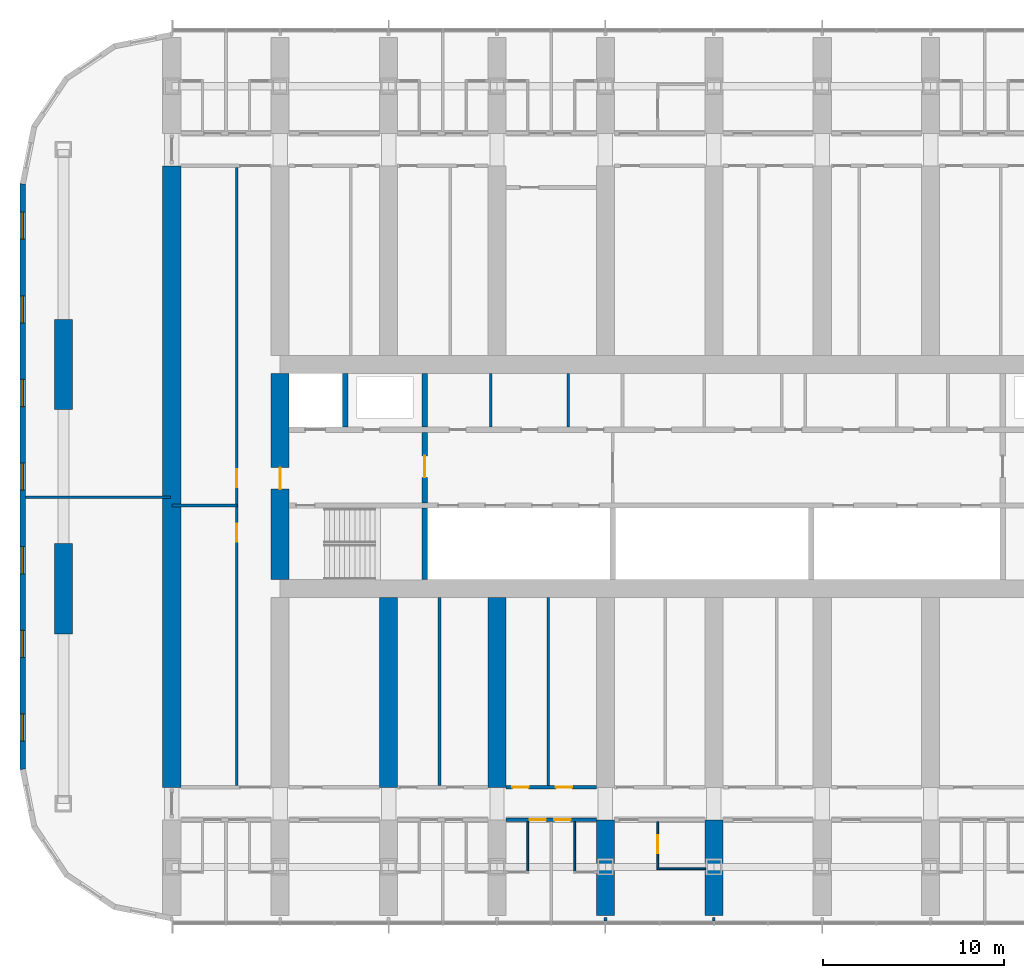
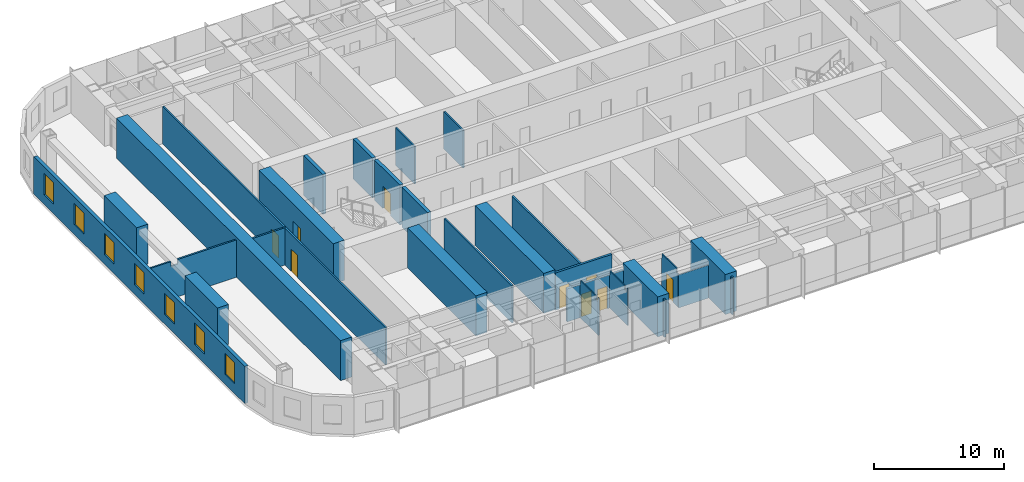
# One storey, part 11 of 23: 28 walls, 9 doors, 7 windows, 16 openings.
"""IFC4 building model written with IfcOpenShell, lengths in metres."""

from ifc_helpers import new_model, si_unit, direction, frame, frame_2d, origin, place, context, subcontext, project, spatial, polyline, rectangle, outline, extrude, material, layer, layer_set, type_object, element, fill, save


model = new_model("IFC4")

# Units and contexts
model_context = context("Model", 3, precision=1e-05, world=origin(), true_north=direction((0.0, 1.0)))
body_context = subcontext(model_context, "Body", "Model", "MODEL_VIEW")
ifc_project = project(units=[si_unit("LENGTHUNIT", "METRE"), si_unit("AREAUNIT", "SQUARE_METRE"), si_unit("VOLUMEUNIT", "CUBIC_METRE"), si_unit("PLANEANGLEUNIT", "RADIAN"), si_unit("MASSUNIT", "GRAM", prefix="KILO")], contexts=[model_context])

# Site, building, storey
site_placement = place(None, origin())
site = spatial("IfcSite", under=ifc_project, at=site_placement, CompositionType="ELEMENT")
building_placement = place(site_placement, origin())
building = spatial("IfcBuilding", under=site, at=building_placement, Name="Orbita Commons", CompositionType="ELEMENT")
storey_placement = place(building_placement, frame((0.0, 0.0, 46.449951171875)))
storey = spatial("IfcBuildingStorey", under=building, at=storey_placement, Name="L11", CompositionType="ELEMENT", Elevation=46.449951171875)

# Wall
ifc_material_1 = material(Name="Concrete C50/60", Category="concrete")
ifc_layer_1 = layer(ifc_material_1, 0.300048828125)
ifc_layer_set_1 = layer_set([ifc_layer_1], Name="Concrete C50/60")
wall_type_1 = type_object("IfcWallType", Name="Core inner wall 300 C50/60", PredefinedType="SHEAR", material=ifc_layer_set_1)
wall_1_placement = place(storey_placement, frame((26.0, 26.300048828125, 0.0), z_axis=(0.0, 0.0, 1.0), x_axis=(0.0, 1.0, 0.0)))
element("IfcWall", 1, at=wall_1_placement, inside=storey, type_object=wall_type_1, Name="Stair S1 wall L11", PredefinedType="SHEAR", context=body_context, shape_type="SweptSolid", body=[
    extrude(rectangle(XDim=3.949951171875, YDim=0.300048828125, at=frame_2d((1.97509765625, 0.0))), origin(), (0.0, 0.0, 1.0), 3.75),
])

# Wall, opening, door
wall_2_placement = place(storey_placement, frame((26.0, 30.550048828125, 0.0), z_axis=(0.0, 0.0, 1.0), x_axis=(0.0, 1.0, 0.0)))
wall_2 = element("IfcWall", 2, at=wall_2_placement, inside=storey, type_object=wall_type_1, Name="Firefighting lobby wall west L11", PredefinedType="SHEAR", context=body_context, shape_type="SweptSolid", body=[
    extrude(rectangle(XDim=3.89990234375, YDim=0.300048828125, at=frame_2d((1.949951171875, 0.0))), origin(), (0.0, 0.0, 1.0), 3.75),
])
opening_1_placement = place(wall_2_placement, frame((1.39990234375, 0.0, 0.0)))
opening_1 = element("IfcOpeningElement", 3, at=opening_1_placement, cuts=wall_2, Name="Opening D04", PredefinedType="OPENING", context=body_context, shape_type="SweptSolid", body=[
    extrude(rectangle(XDim=1.199951171875, YDim=2.10009765625, at=frame_2d((0.60009765625, 1.050048828125))), frame((0.0, 0.159912109375, 0.0), z_axis=(0.0, -1.0, 0.0), x_axis=(1.0, 0.0, 0.0)), (0.0, 0.0, 1.0), 0.320068359375),
])
ifc_material_2 = material(Name="Steel-faced fire door leaf", Category="steel")
door_type_1 = type_object("IfcDoorType", Name="Service door 20 min 1200x2100", OperationType="SINGLE_SWING_LEFT", PredefinedType="DOOR", material=ifc_material_2)
door_1_placement = place(opening_1_placement, origin())
door_1 = element("IfcDoor", 4, at=door_1_placement, inside=storey, type_object=door_type_1, Name="Lift lobby door west", OperationType="SINGLE_SWING_LEFT", OverallHeight=2.10009765625, OverallWidth=1.199951171875, PredefinedType="DOOR", context=body_context, shape_type="SweptSolid", body=[
    extrude(rectangle(XDim=1.199951171875, YDim=2.10009765625, at=frame_2d((0.60009765625, 1.050048828125))), frame((0.0, 0.02490234375, 0.0), z_axis=(0.0, -1.0, 0.0), x_axis=(1.0, 0.0, 0.0)), (0.0, 0.0, 1.0), 0.050048828125),
])
fill(opening_1, door_1)

# Walls
for number, where, z_axis, x_axis, name in (
    (5, (21.60009765625, 34.75, 0.0), (0.0, 0.0, 1.0), (0.0, 1.0, 0.0), "Firefighting lift FL1 shaft wall L11"),
    (6, (26.0, 34.75, 0.0), (0.0, 0.0, 1.0), (0.0, 1.0, 0.0), "Riser wall west L11"),
):
    element("IfcWall", number, at=place(storey_placement, frame(where, z_axis=z_axis, x_axis=x_axis)), inside=storey, type_object=wall_type_1, Name=name, PredefinedType="SHEAR", context=body_context, shape_type="SweptSolid", body=[
        extrude(rectangle(XDim=2.949951171875, YDim=0.300048828125, at=frame_2d((1.47509765625, 0.0))), origin(), (0.0, 0.0, 1.0), 3.75),
    ])
ifc_material_3 = material(Name="Concrete blockwork", Category="masonry")
ifc_layer_2 = layer(ifc_material_3, 0.14990234375)
ifc_layer_set_2 = layer_set([ifc_layer_2], Name="Concrete blockwork")
wall_type_2 = type_object("IfcWallType", Name="Core partition 150 blockwork", PredefinedType="SOLIDWALL", material=ifc_layer_set_2)
for number, where, z_axis, x_axis, name in (
    (7, (29.65087890625, 34.75, 0.0), (0.0, 0.0, 1.0), (0.0, 1.0, 0.0), "Core partition 150 blockwork L11"),
    (8, (33.9462890625, 34.75, 0.0), (0.0, 0.0, 1.0), (0.0, 1.0, 0.0), "Core partition 150 blockwork L11"),
):
    element("IfcWall", number, at=place(storey_placement, frame(where, z_axis=z_axis, x_axis=x_axis)), inside=storey, type_object=wall_type_2, Name=name, PredefinedType="SOLIDWALL", context=body_context, shape_type="SweptSolid", body=[
        extrude(rectangle(XDim=2.949951171875, YDim=0.14990234375, at=frame_2d((1.47509765625, 0.0))), origin(), (0.0, 0.0, 1.0), 3.5),
    ])

# Wall, opening, door
ifc_material_4 = material(Name="Concrete C50/60", Category="concrete")
ifc_layer_3 = layer(ifc_material_4, 1.0)
ifc_layer_set_3 = layer_set([ifc_layer_3], Name="Concrete C50/60")
wall_type_3 = type_object("IfcWallType", Name="Core wall 1000 C50/60", PredefinedType="SHEAR", material=ifc_layer_set_3)
wall_3_placement = place(storey_placement, frame((18.0, 26.300048828125, 0.0), z_axis=(0.0, 0.0, 1.0), x_axis=(0.0, 1.0, 0.0)))
wall_3 = element("IfcWall", 9, at=wall_3_placement, inside=storey, type_object=wall_type_3, Name="Core end wall west L11", PredefinedType="SHEAR", context=body_context, shape_type="SweptSolid", body=[
    extrude(rectangle(XDim=11.39990234375, YDim=1.0, at=frame_2d((5.699951171875, 0.0))), origin(), (0.0, 0.0, 1.0), 3.75),
])
opening_2_placement = place(wall_3_placement, frame((5.0, 0.0, 0.0)))
opening_2 = element("IfcOpeningElement", 10, at=opening_2_placement, cuts=wall_3, Name="Opening D01", PredefinedType="OPENING", context=body_context, shape_type="SweptSolid", body=[
    extrude(rectangle(XDim=1.199951171875, YDim=2.10009765625, at=frame_2d((0.60009765625, 1.050048828125))), frame((0.0, 0.510009765625, 0.0), z_axis=(0.0, -1.0, 0.0), x_axis=(1.0, 0.0, 0.0)), (0.0, 0.0, 1.0), 1.02001953125),
])
ifc_material_5 = material(Name="Steel-faced fire door leaf", Category="steel")
door_type_2 = type_object("IfcDoorType", Name="Fire door 90 min 1200x2100", OperationType="SINGLE_SWING_LEFT", PredefinedType="DOOR", material=ifc_material_5)
door_2_placement = place(opening_2_placement, origin())
door_2 = element("IfcDoor", 11, at=door_2_placement, inside=storey, type_object=door_type_2, Name="Firefighting lobby west door", OperationType="SINGLE_SWING_LEFT", OverallHeight=2.10009765625, OverallWidth=1.199951171875, PredefinedType="DOOR", context=body_context, shape_type="SweptSolid", body=[
    extrude(rectangle(XDim=1.199951171875, YDim=2.10009765625, at=frame_2d((0.60009765625, 1.050048828125))), frame((0.0, 0.02490234375, 0.0), z_axis=(0.0, -1.0, 0.0), x_axis=(1.0, 0.0, 0.0)), (0.0, 0.0, 1.0), 0.050048828125),
])
fill(opening_2, door_2)

# Wall, openings, doors
ifc_material_6 = material(Name="Concrete blockwork", Category="masonry")
ifc_layer_4 = layer(ifc_material_6, 0.199951171875)
ifc_layer_set_4 = layer_set([ifc_layer_4], Name="Concrete blockwork")
wall_type_4 = type_object("IfcWallType", Name="Corridor wall 200 blockwork", PredefinedType="SOLIDWALL", material=ifc_layer_set_4)
wall_4_placement = place(storey_placement, frame((30.5, 13.0, 0.0), z_axis=(0.0, 0.0, 1.0), x_axis=(1.0, 0.0, 0.0)))
wall_4 = element("IfcWall", 12, at=wall_4_placement, inside=storey, type_object=wall_type_4, Name="Corridor wall 200 blockwork L11", PredefinedType="SOLIDWALL", context=body_context, shape_type="SweptSolid", body=[
    extrude(outline(polyline([(0.0, 0.0), (5.0, 0.0), (5.0, 3.10009765625), (0.0, 3.10009765625), (0.0, 0.0)])), frame((0.0, 0.10009765625, 0.0), z_axis=(0.0, -1.0, 0.0), x_axis=(1.0, 0.0, 0.0)), (0.0, 0.0, 1.0), 0.199951171875),
])
opening_3_placement = place(wall_4_placement, frame((1.300048828125, 0.0, 0.0)))
opening_3 = element("IfcOpeningElement", 13, at=opening_3_placement, cuts=wall_4, Name="Opening D11", PredefinedType="OPENING", context=body_context, shape_type="SweptSolid", body=[
    extrude(rectangle(XDim=0.89990234375, YDim=2.10009765625, at=frame_2d((0.449951171875, 1.050048828125))), frame((0.0, 0.10986328125, 0.0), z_axis=(0.0, -1.0, 0.0), x_axis=(1.0, 0.0, 0.0)), (0.0, 0.0, 1.0), 0.219970703125),
])
opening_4_placement = place(wall_4_placement, frame((2.675048828125, 0.0, 0.0)))
opening_4 = element("IfcOpeningElement", 14, at=opening_4_placement, cuts=wall_4, Name="Opening D11", PredefinedType="OPENING", context=body_context, shape_type="SweptSolid", body=[
    extrude(rectangle(XDim=0.89990234375, YDim=2.10009765625, at=frame_2d((0.449951171875, 1.050048828125))), frame((0.0, 0.10986328125, 0.0), z_axis=(0.0, -1.0, 0.0), x_axis=(1.0, 0.0, 0.0)), (0.0, 0.0, 1.0), 0.219970703125),
])
ifc_material_7 = material(Name="Steel-faced fire door leaf", Category="steel")
door_type_3 = type_object("IfcDoorType", Name="Corridor door 20 min 900x2100", OperationType="SINGLE_SWING_LEFT", PredefinedType="DOOR", material=ifc_material_7)
door_3_placement = place(opening_3_placement, origin())
door_3 = element("IfcDoor", 15, at=door_3_placement, inside=storey, type_object=door_type_3, Name="House bedroom L11-S06 door", OperationType="SINGLE_SWING_LEFT", OverallHeight=2.10009765625, OverallWidth=0.89990234375, PredefinedType="DOOR", context=body_context, shape_type="SweptSolid", body=[
    extrude(rectangle(XDim=0.89990234375, YDim=2.10009765625, at=frame_2d((0.449951171875, 1.050048828125))), frame((0.0, 0.02490234375, 0.0), z_axis=(0.0, -1.0, 0.0), x_axis=(1.0, 0.0, 0.0)), (0.0, 0.0, 1.0), 0.050048828125),
])
fill(opening_3, door_3)
door_4_placement = place(opening_4_placement, origin())
door_4 = element("IfcDoor", 16, at=door_4_placement, inside=storey, type_object=door_type_3, Name="House bedroom L11-S07 door", OperationType="SINGLE_SWING_LEFT", OverallHeight=2.10009765625, OverallWidth=0.89990234375, PredefinedType="DOOR", context=body_context, shape_type="SweptSolid", body=[
    extrude(rectangle(XDim=0.89990234375, YDim=2.10009765625, at=frame_2d((0.449951171875, 1.050048828125))), frame((0.0, 0.02490234375, 0.0), z_axis=(0.0, -1.0, 0.0), x_axis=(1.0, 0.0, 0.0)), (0.0, 0.0, 1.0), 0.050048828125),
])
fill(opening_4, door_4)

ifc_material_8 = material(Name="Hollow concrete block 200", Category="concrete")
ifc_layer_5 = layer(ifc_material_8, 0.199951171875)
ifc_layer_set_5 = layer_set([ifc_layer_5], Name="Hollow concrete block 200")
wall_type_5 = type_object("IfcWallType", Name="Corridor wall 200 hollow concrete block", PredefinedType="SOLIDWALL", material=ifc_layer_set_5)
wall_5_placement = place(storey_placement, frame((30.5, 14.800048828125, 0.0), z_axis=(0.0, 0.0, 1.0), x_axis=(1.0, 0.0, 0.0)))
wall_5 = element("IfcWall", 17, at=wall_5_placement, inside=storey, type_object=wall_type_5, Name="Corridor wall 200 hollow concrete block L11", PredefinedType="SOLIDWALL", context=body_context, shape_type="SweptSolid", body=[
    extrude(rectangle(XDim=5.0, YDim=0.199951171875, at=frame_2d((2.5, 0.0))), origin(), (0.0, 0.0, 1.0), 3.5),
])
opening_5_placement = place(wall_5_placement, frame((0.35009765625, 0.0, 0.0)))
opening_5 = element("IfcOpeningElement", 18, at=opening_5_placement, cuts=wall_5, Name="Opening D11", PredefinedType="OPENING", context=body_context, shape_type="SweptSolid", body=[
    extrude(rectangle(XDim=0.89990234375, YDim=2.10009765625, at=frame_2d((0.449951171875, 1.050048828125))), frame((0.0, 0.10986328125, 0.0), z_axis=(0.0, -1.0, 0.0), x_axis=(1.0, 0.0, 0.0)), (0.0, 0.0, 1.0), 0.219970703125),
])
opening_6_placement = place(wall_5_placement, frame((2.7548828125, 0.0, 0.0)))
opening_6 = element("IfcOpeningElement", 19, at=opening_6_placement, cuts=wall_5, Name="Opening D11", PredefinedType="OPENING", context=body_context, shape_type="SweptSolid", body=[
    extrude(rectangle(XDim=0.89990234375, YDim=2.10009765625, at=frame_2d((0.449951171875, 1.050048828125))), frame((0.0, 0.10986328125, 0.0), z_axis=(0.0, -1.0, 0.0), x_axis=(1.0, 0.0, 0.0)), (0.0, 0.0, 1.0), 0.219970703125),
])
door_5_placement = place(opening_5_placement, origin())
door_5 = element("IfcDoor", 20, at=door_5_placement, inside=storey, type_object=door_type_3, Name="Sprinkler valve room L11-BDS30n door", OperationType="SINGLE_SWING_LEFT", OverallHeight=2.10009765625, OverallWidth=0.89990234375, PredefinedType="DOOR", context=body_context, shape_type="SweptSolid", body=[
    extrude(rectangle(XDim=0.89990234375, YDim=2.10009765625, at=frame_2d((0.449951171875, 1.050048828125))), frame((0.0, 0.02490234375, 0.0), z_axis=(0.0, -1.0, 0.0), x_axis=(1.0, 0.0, 0.0)), (0.0, 0.0, 1.0), 0.050048828125),
])
fill(opening_5, door_5)
door_6_placement = place(opening_6_placement, origin())
door_6 = element("IfcDoor", 21, at=door_6_placement, inside=storey, type_object=door_type_3, Name="Quiet room L11-BDS30 door", OperationType="SINGLE_SWING_LEFT", OverallHeight=2.10009765625, OverallWidth=0.89990234375, PredefinedType="DOOR", context=body_context, shape_type="SweptSolid", body=[
    extrude(rectangle(XDim=0.89990234375, YDim=2.10009765625, at=frame_2d((0.449951171875, 1.050048828125))), frame((0.0, 0.02490234375, 0.0), z_axis=(0.0, -1.0, 0.0), x_axis=(1.0, 0.0, 0.0)), (0.0, 0.0, 1.0), 0.050048828125),
])
fill(opening_6, door_6)

# Walls
ifc_material_9 = material(Name="Concrete C50/60", Category="concrete")
ifc_layer_6 = layer(ifc_material_9, 1.0)
ifc_layer_set_6 = layer_set([ifc_layer_6], Name="Concrete C50/60")
wall_type_6 = type_object("IfcWallType", Name="Cross wall 1000 C50/60", PredefinedType="SHEAR", material=ifc_layer_set_6)
wall_6_placement = place(storey_placement, frame((12.0, 14.800048828125, 0.0), z_axis=(0.0, 0.0, 1.0), x_axis=(0.0, 1.0, 0.0)))
element("IfcWall", 22, at=wall_6_placement, inside=storey, type_object=wall_type_6, Name="Cross wall 3 inner L11", PredefinedType="SHEAR", context=body_context, shape_type="SweptSolid", body=[
    extrude(rectangle(XDim=34.39990234375, YDim=1.0, at=frame_2d((17.199951171875, 0.0))), origin(), (0.0, 0.0, 1.0), 3.75),
])
for number, where, z_axis, x_axis, name in (
    (23, (24.0, 14.800048828125, 0.0), (0.0, 0.0, 1.0), (0.0, 1.0, 0.0), "Cross wall 5 south inner L11"),
    (24, (30.0, 14.800048828125, 0.0), (0.0, 0.0, 1.0), (0.0, 1.0, 0.0), "Cross wall 6 south inner L11"),
):
    element("IfcWall", number, at=place(storey_placement, frame(where, z_axis=z_axis, x_axis=x_axis)), inside=storey, type_object=wall_type_6, Name=name, PredefinedType="SHEAR", context=body_context, shape_type="SweptSolid", body=[
        extrude(rectangle(XDim=10.5, YDim=1.0, at=frame_2d((5.25, 0.0))), origin(), (0.0, 0.0, 1.0), 3.75),
    ])
for number, where, z_axis, x_axis, name in (
    (25, (36.0, 7.699951171875, 0.0), (0.0, 0.0, 1.0), (0.0, 1.0, 0.0), "Cross wall 7 south outer L11"),
    (26, (42.0, 7.699951171875, 0.0), (0.0, 0.0, 1.0), (0.0, 1.0, 0.0), "Cross wall 8 south outer L11"),
):
    element("IfcWall", number, at=place(storey_placement, frame(where, z_axis=z_axis, x_axis=x_axis)), inside=storey, type_object=wall_type_6, Name=name, PredefinedType="SHEAR", context=body_context, shape_type="SweptSolid", body=[
        extrude(rectangle(XDim=5.300048828125, YDim=1.0, at=frame_2d((2.64990234375, 0.0))), origin(), (0.0, 0.0, 1.0), 3.75),
    ])
ifc_material_10 = material(Name="Moisture-resistant plasterboard on steel studs", Category="steel")
ifc_layer_7 = layer(ifc_material_10, 0.10009765625)
ifc_layer_set_7 = layer_set([ifc_layer_7], Name="Moisture-resistant plasterboard on steel studs")
wall_type_7 = type_object("IfcWallType", Name="En-suite partition 100", PredefinedType="PARTITIONING", material=ifc_layer_set_7)
for number, where, z_axis, x_axis, name in (
    (27, (31.699951171875, 10.14990234375, 0.0), (0.0, 0.0, 1.0), (0.0, 1.0, 0.0), "En-suite partition 100 L11"),
    (28, (34.300048828125, 10.14990234375, 0.0), (0.0, 0.0, 1.0), (0.0, 1.0, 0.0), "En-suite partition 100 L11"),
):
    element("IfcWall", number, at=place(storey_placement, frame(where, z_axis=z_axis, x_axis=x_axis)), inside=storey, type_object=wall_type_7, Name=name, PredefinedType="PARTITIONING", context=body_context, shape_type="SweptSolid", body=[
        extrude(outline(polyline([(0.0, 0.0), (2.75, 0.0), (2.75, 3.10009765625), (2.701904296875, 3.10009765625), (2.699951171875, 3.5), (0.451904296875, 3.5), (0.449951171875, 3.10009765625), (0.052001953125, 3.10009765625), (0.050048828125, 3.5), (0.0, 3.5), (0.0, 0.0)])), frame((0.0, 0.050048828125, 0.0), z_axis=(0.0, -1.0, 0.0), x_axis=(1.0, 0.0, 0.0)), (0.0, 0.0, 1.0), 0.10009765625),
    ])
wall_7_placement = place(storey_placement, frame((38.85009765625, 10.300048828125, 0.0), z_axis=(0.0, 0.0, 1.0), x_axis=(1.0, 0.0, 0.0)))
element("IfcWall", 29, at=wall_7_placement, inside=storey, type_object=wall_type_7, Name="En-suite partition 100 L11", PredefinedType="PARTITIONING", context=body_context, shape_type="SweptSolid", body=[
    extrude(outline(polyline([(0.0, 0.0), (2.699951171875, 0.0), (2.699951171875, 3.10009765625), (0.0, 3.10009765625), (0.0, 0.0)])), frame((0.0, 0.050048828125, 0.0), z_axis=(0.0, -1.0, 0.0), x_axis=(1.0, 0.0, 0.0)), (0.0, 0.0, 1.0), 0.10009765625),
])

# Wall, opening, door
wall_8_placement = place(storey_placement, frame((38.89990234375, 10.35009765625, 0.0), z_axis=(0.0, 0.0, 1.0), x_axis=(0.0, 1.0, 0.0)))
wall_8 = element("IfcWall", 30, at=wall_8_placement, inside=storey, type_object=wall_type_7, Name="En-suite partition 100 L11", PredefinedType="PARTITIONING", context=body_context, shape_type="SweptSolid", body=[
    extrude(outline(polyline([(0.0, 0.0), (2.5498046875, 0.0), (2.550048828125, 3.10009765625), (2.501953125, 3.10009765625), (2.5, 3.5), (0.251953125, 3.5), (0.25, 3.10009765625), (0.0, 3.10009765625), (0.0, 0.0)])), frame((0.0, 0.050048828125, 0.0), z_axis=(0.0, -1.0, 0.0), x_axis=(1.0, 0.0, 0.0)), (0.0, 0.0, 1.0), 0.10009765625),
])
opening_7_placement = place(wall_8_placement, frame((0.800048828125, 0.0, 0.0)))
opening_7 = element("IfcOpeningElement", 31, at=opening_7_placement, cuts=wall_8, Name="Opening D13", PredefinedType="OPENING", context=body_context, shape_type="SweptSolid", body=[
    extrude(rectangle(XDim=1.0, YDim=2.10009765625, at=frame_2d((0.5, 1.050048828125))), frame((0.0, 0.06005859375, 0.0), z_axis=(0.0, -1.0, 0.0), x_axis=(1.0, 0.0, 0.0)), (0.0, 0.0, 1.0), 0.1201171875),
])
ifc_material_11 = material(Name="Laminated timber door leaf", Category="wood")
door_type_4 = type_object("IfcDoorType", Name="En-suite door 1000x2100", OperationType="SINGLE_SWING_RIGHT", PredefinedType="DOOR", material=ifc_material_11)
door_7_placement = place(opening_7_placement, origin())
door_7 = element("IfcDoor", 32, at=door_7_placement, inside=storey, type_object=door_type_4, Name="Accessible shower room L11-S08 door", OperationType="SINGLE_SWING_RIGHT", OverallHeight=2.10009765625, OverallWidth=1.0, PredefinedType="DOOR", context=body_context, shape_type="SweptSolid", body=[
    extrude(rectangle(XDim=1.0, YDim=2.10009765625, at=frame_2d((0.5, 1.050048828125))), frame((0.0, 0.02490234375, 0.0), z_axis=(0.0, -1.0, 0.0), x_axis=(1.0, 0.0, 0.0)), (0.0, 0.0, 1.0), 0.050048828125),
])
fill(opening_7, door_7)

# Walls
ifc_material_12 = material(Name="Concrete C50/60", Category="concrete")
ifc_layer_8 = layer(ifc_material_12, 1.0)
ifc_layer_set_8 = layer_set([ifc_layer_8], Name="Concrete C50/60")
wall_type_8 = type_object("IfcWallType", Name="End pier 1000x5000 C50/60", PredefinedType="SHEAR", material=ifc_layer_set_8)
for number, where, z_axis, x_axis, name in (
    (33, (6.0, 23.300048828125, 0.0), (0.0, 0.0, 1.0), (0.0, 1.0, 0.0), "End pier 2/C L11"),
    (34, (6.0, 35.699951171875, 0.0), (0.0, 0.0, 1.0), (0.0, 1.0, 0.0), "End pier 2/D L11"),
):
    element("IfcWall", number, at=place(storey_placement, frame(where, z_axis=z_axis, x_axis=x_axis)), inside=storey, type_object=wall_type_8, Name=name, PredefinedType="SHEAR", context=body_context, shape_type="SweptSolid", body=[
        extrude(rectangle(XDim=5.0, YDim=1.0, at=frame_2d((2.5, 0.0))), origin(), (0.0, 0.0, 1.0), 3.75),
    ])
ifc_material_13 = material(Name="Gypsum plasterboard on steel studs", Category="steel")
ifc_layer_9 = layer(ifc_material_13, 0.14990234375)
ifc_layer_set_9 = layer_set([ifc_layer_9], Name="Gypsum plasterboard on steel studs")
wall_type_9 = type_object("IfcWallType", Name="Partition 150 plasterboard", PredefinedType="PARTITIONING", material=ifc_layer_set_9)
for number, where, z_axis, x_axis, name in (
    (35, (26.81494140625, 14.89990234375, 0.0), (0.0, 0.0, 1.0), (0.0, 1.0, 0.0), "Partition 150 plasterboard L11"),
    (36, (32.830078125, 14.89990234375, 0.0), (0.0, 0.0, 1.0), (0.0, 1.0, 0.0), "Partition 150 plasterboard L11"),
):
    element("IfcWall", number, at=place(storey_placement, frame(where, z_axis=z_axis, x_axis=x_axis)), inside=storey, type_object=wall_type_9, Name=name, PredefinedType="PARTITIONING", context=body_context, shape_type="SweptSolid", body=[
        extrude(rectangle(XDim=10.400146484375, YDim=0.14990234375, at=frame_2d((5.2001953125, 0.0))), origin(), (0.0, 0.0, 1.0), 3.5),
    ])

# Wall, openings, doors
wall_9_placement = place(storey_placement, frame((15.60009765625, 14.89990234375, 0.0), z_axis=(0.0, 0.0, 1.0), x_axis=(0.0, 1.0, 0.0)))
wall_9 = element("IfcWall", 37, at=wall_9_placement, inside=storey, type_object=wall_type_9, Name="Partition 150 plasterboard L11", PredefinedType="PARTITIONING", context=body_context, shape_type="SweptSolid", body=[
    extrude(rectangle(XDim=34.2001953125, YDim=0.14990234375, at=frame_2d((17.10009765625, 0.0))), origin(), (0.0, 0.0, 1.0), 3.5),
])
opening_8_placement = place(wall_9_placement, frame((13.5, 0.0, 0.0)))
opening_8 = element("IfcOpeningElement", 38, at=opening_8_placement, cuts=wall_9, Name="Opening D06", PredefinedType="OPENING", context=body_context, shape_type="SweptSolid", body=[
    extrude(rectangle(XDim=1.0, YDim=2.10009765625, at=frame_2d((0.5, 1.050048828125))), frame((0.0, 0.0849609375, 0.0), z_axis=(0.0, -1.0, 0.0), x_axis=(1.0, 0.0, 0.0)), (0.0, 0.0, 1.0), 0.169921875),
])
opening_9_placement = place(wall_9_placement, frame((16.5, 0.0, 0.0)))
opening_9 = element("IfcOpeningElement", 39, at=opening_9_placement, cuts=wall_9, Name="Opening D06", PredefinedType="OPENING", context=body_context, shape_type="SweptSolid", body=[
    extrude(rectangle(XDim=1.0, YDim=2.10009765625, at=frame_2d((0.5, 1.050048828125))), frame((0.0, 0.0849609375, 0.0), z_axis=(0.0, -1.0, 0.0), x_axis=(1.0, 0.0, 0.0)), (0.0, 0.0, 1.0), 0.169921875),
])
ifc_material_14 = material(Name="Steel-faced fire door leaf", Category="steel")
door_type_5 = type_object("IfcDoorType", Name="Corridor door 20 min 1000x2100", OperationType="SINGLE_SWING_LEFT", PredefinedType="DOOR", material=ifc_material_14)
door_8_placement = place(opening_8_placement, origin())
door_8 = element("IfcDoor", 40, at=door_8_placement, inside=storey, type_object=door_type_5, Name="Interview room door", OperationType="SINGLE_SWING_LEFT", OverallHeight=2.10009765625, OverallWidth=1.0, PredefinedType="DOOR", context=body_context, shape_type="SweptSolid", body=[
    extrude(rectangle(XDim=1.0, YDim=2.10009765625, at=frame_2d((0.5, 1.050048828125))), frame((0.0, 0.02490234375, 0.0), z_axis=(0.0, -1.0, 0.0), x_axis=(1.0, 0.0, 0.0)), (0.0, 0.0, 1.0), 0.050048828125),
])
fill(opening_8, door_8)
door_9_placement = place(opening_9_placement, origin())
door_9 = element("IfcDoor", 41, at=door_9_placement, inside=storey, type_object=door_type_5, Name="Residents' storage room door", OperationType="SINGLE_SWING_LEFT", OverallHeight=2.10009765625, OverallWidth=1.0, PredefinedType="DOOR", context=body_context, shape_type="SweptSolid", body=[
    extrude(rectangle(XDim=1.0, YDim=2.10009765625, at=frame_2d((0.5, 1.050048828125))), frame((0.0, 0.02490234375, 0.0), z_axis=(0.0, -1.0, 0.0), x_axis=(1.0, 0.0, 0.0)), (0.0, 0.0, 1.0), 0.050048828125),
])
fill(opening_9, door_9)

# Walls
wall_10_placement = place(storey_placement, frame((12.0, 30.39990234375, 0.0), z_axis=(0.0, 0.0, 1.0), x_axis=(1.0, 0.0, 0.0)))
element("IfcWall", 42, at=wall_10_placement, inside=storey, type_object=wall_type_9, Name="Partition 150 plasterboard L11", PredefinedType="PARTITIONING", context=body_context, shape_type="SweptSolid", body=[
    extrude(rectangle(XDim=3.60009765625, YDim=0.14990234375, at=frame_2d((1.800048828125, 0.0))), origin(), (0.0, 0.0, 1.0), 3.5),
])
wall_11_placement = place(storey_placement, frame((3.905029296875, 30.85009765625, 0.0), z_axis=(0.0, 0.0, 1.0), x_axis=(1.0, 0.0, 0.0)))
element("IfcWall", 43, at=wall_11_placement, inside=storey, type_object=wall_type_9, Name="Partition 150 plasterboard L11", PredefinedType="PARTITIONING", context=body_context, shape_type="SweptSolid", body=[
    extrude(outline(polyline([(0.0, 0.0), (8.02001953125, 0.0), (8.02001953125, 3.5), (2.39697265625, 3.5), (2.39501953125, 3.050048828125), (1.797119140625, 3.050048828125), (1.794921875, 3.5), (0.0, 3.5), (0.0, 0.0)])), frame((0.0, 0.074951171875, 0.0), z_axis=(0.0, -1.0, 0.0), x_axis=(1.0, 0.0, 0.0)), (0.0, 0.0, 1.0), 0.14990234375),
])
for number, where, z_axis, x_axis, name in (
    (44, (36.0, 7.60009765625, 0.0), (0.0, 0.0, 1.0), (0.0, -1.0, 0.0), "Partition 150 plasterboard L11"),
    (45, (42.0, 7.60009765625, 0.0), (0.0, 0.0, 1.0), (0.0, -1.0, 0.0), "Partition 150 plasterboard L11"),
):
    element("IfcWall", number, at=place(storey_placement, frame(where, z_axis=z_axis, x_axis=x_axis)), inside=storey, type_object=wall_type_9, Name=name, PredefinedType="PARTITIONING", context=body_context, shape_type="SweptSolid", body=[
        extrude(rectangle(XDim=0.190185546875, YDim=0.14990234375, at=frame_2d((0.09521484375, 0.0))), origin(), (0.0, 0.0, 1.0), 3.5),
    ])

# Wall, openings, windows
ifc_material_15 = material(Name="Precast concrete C40/50, white board-marked finish", Category="concrete")
ifc_layer_10 = layer(ifc_material_15, 0.300048828125)
ifc_layer_set_10 = layer_set([ifc_layer_10], Name="Precast concrete C40/50, white board-marked finish")
wall_type_10 = type_object("IfcWallType", Name="Precast concrete end shield 300", PredefinedType="SOLIDWALL", material=ifc_layer_set_10)
wall_12_placement = place(storey_placement, frame((3.75, 48.199951171875, 0.0), z_axis=(0.0, 0.0, 1.0), x_axis=(0.0, -1.0, 0.0)))
wall_12 = element("IfcWall", 46, at=wall_12_placement, inside=storey, type_object=wall_type_10, Name="End shield W L11", PredefinedType="SOLIDWALL", context=body_context, shape_type="SweptSolid", body=[
    extrude(outline(polyline([(-0.014892578125, -0.14990234375), (32.414794921875, -0.14990234375), (32.385009765625, 0.14990234375), (0.014892578125, 0.14990234375), (-0.014892578125, -0.14990234375)])), origin(), (0.0, 0.0, 1.0), 3.5),
])
opening_10_placement = place(wall_12_placement, frame((1.564208984375, 0.0, 0.89990234375)))
opening_10 = element("IfcOpeningElement", 47, at=opening_10_placement, cuts=wall_12, Name="Opening W01", PredefinedType="OPENING", context=body_context, shape_type="SweptSolid", body=[
    extrude(rectangle(XDim=1.5, YDim=2.0, at=frame_2d((0.75, 1.0))), frame((0.0, 0.159912109375, 0.0), z_axis=(0.0, -1.0, 0.0), x_axis=(1.0, 0.0, 0.0)), (0.0, 0.0, 1.0), 0.320068359375),
])
opening_11_placement = place(wall_12_placement, frame((6.19287109375, 0.0, 0.89990234375)))
opening_11 = element("IfcOpeningElement", 48, at=opening_11_placement, cuts=wall_12, Name="Opening W01", PredefinedType="OPENING", context=body_context, shape_type="SweptSolid", body=[
    extrude(rectangle(XDim=1.5, YDim=2.0, at=frame_2d((0.75, 1.0))), frame((0.0, 0.159912109375, 0.0), z_axis=(0.0, -1.0, 0.0), x_axis=(1.0, 0.0, 0.0)), (0.0, 0.0, 1.0), 0.320068359375),
])
opening_12_placement = place(wall_12_placement, frame((10.821533203125, 0.0, 0.89990234375)))
opening_12 = element("IfcOpeningElement", 49, at=opening_12_placement, cuts=wall_12, Name="Opening W01", PredefinedType="OPENING", context=body_context, shape_type="SweptSolid", body=[
    extrude(rectangle(XDim=1.5, YDim=2.0, at=frame_2d((0.75, 1.0))), frame((0.0, 0.159912109375, 0.0), z_axis=(0.0, -1.0, 0.0), x_axis=(1.0, 0.0, 0.0)), (0.0, 0.0, 1.0), 0.320068359375),
])
opening_13_placement = place(wall_12_placement, frame((15.449951171875, 0.0, 0.89990234375)))
opening_13 = element("IfcOpeningElement", 50, at=opening_13_placement, cuts=wall_12, Name="Opening W01", PredefinedType="OPENING", context=body_context, shape_type="SweptSolid", body=[
    extrude(rectangle(XDim=1.5, YDim=2.0, at=frame_2d((0.75, 1.0))), frame((0.0, 0.159912109375, 0.0), z_axis=(0.0, -1.0, 0.0), x_axis=(1.0, 0.0, 0.0)), (0.0, 0.0, 1.0), 0.320068359375),
])
opening_14_placement = place(wall_12_placement, frame((20.07861328125, 0.0, 0.89990234375)))
opening_14 = element("IfcOpeningElement", 51, at=opening_14_placement, cuts=wall_12, Name="Opening W01", PredefinedType="OPENING", context=body_context, shape_type="SweptSolid", body=[
    extrude(rectangle(XDim=1.5, YDim=2.0, at=frame_2d((0.75, 1.0))), frame((0.0, 0.159912109375, 0.0), z_axis=(0.0, -1.0, 0.0), x_axis=(1.0, 0.0, 0.0)), (0.0, 0.0, 1.0), 0.320068359375),
])
opening_15_placement = place(wall_12_placement, frame((24.70703125, 0.0, 0.89990234375)))
opening_15 = element("IfcOpeningElement", 52, at=opening_15_placement, cuts=wall_12, Name="Opening W01", PredefinedType="OPENING", context=body_context, shape_type="SweptSolid", body=[
    extrude(rectangle(XDim=1.5, YDim=2.0, at=frame_2d((0.75, 1.0))), frame((0.0, 0.159912109375, 0.0), z_axis=(0.0, -1.0, 0.0), x_axis=(1.0, 0.0, 0.0)), (0.0, 0.0, 1.0), 0.320068359375),
])
opening_16_placement = place(wall_12_placement, frame((29.335693359375, 0.0, 0.89990234375)))
opening_16 = element("IfcOpeningElement", 53, at=opening_16_placement, cuts=wall_12, Name="Opening W01", PredefinedType="OPENING", context=body_context, shape_type="SweptSolid", body=[
    extrude(rectangle(XDim=1.5, YDim=2.0, at=frame_2d((0.75, 1.0))), frame((0.0, 0.159912109375, 0.0), z_axis=(0.0, -1.0, 0.0), x_axis=(1.0, 0.0, 0.0)), (0.0, 0.0, 1.0), 0.320068359375),
])
ifc_material_16 = material(Name="Aluminium frame, clear double glazing", Category="aluminium")
window_type = type_object("IfcWindowType", Name="Deep-set window 1500x2000", PartitioningType="SINGLE_PANEL", PredefinedType="WINDOW", material=ifc_material_16)
window_1_placement = place(opening_10_placement, origin())
window_1 = element("IfcWindow", 54, at=window_1_placement, inside=storey, type_object=window_type, Name="Window L11-W 1", OverallHeight=2.0, OverallWidth=1.5, PartitioningType="SINGLE_PANEL", PredefinedType="WINDOW", context=body_context, shape_type="SweptSolid", body=[
    extrude(rectangle(XDim=1.5, YDim=2.0, at=frame_2d((0.75, 1.0))), frame((0.0, 0.030029296875, 0.0), z_axis=(0.0, -1.0, 0.0), x_axis=(1.0, 0.0, 0.0)), (0.0, 0.0, 1.0), 0.06005859375),
])
fill(opening_10, window_1)
window_2_placement = place(opening_11_placement, origin())
window_2 = element("IfcWindow", 55, at=window_2_placement, inside=storey, type_object=window_type, Name="Window L11-W 2", OverallHeight=2.0, OverallWidth=1.5, PartitioningType="SINGLE_PANEL", PredefinedType="WINDOW", context=body_context, shape_type="SweptSolid", body=[
    extrude(rectangle(XDim=1.5, YDim=2.0, at=frame_2d((0.75, 1.0))), frame((0.0, 0.030029296875, 0.0), z_axis=(0.0, -1.0, 0.0), x_axis=(1.0, 0.0, 0.0)), (0.0, 0.0, 1.0), 0.06005859375),
])
fill(opening_11, window_2)
window_3_placement = place(opening_12_placement, origin())
window_3 = element("IfcWindow", 56, at=window_3_placement, inside=storey, type_object=window_type, Name="Window L11-W 3", OverallHeight=2.0, OverallWidth=1.5, PartitioningType="SINGLE_PANEL", PredefinedType="WINDOW", context=body_context, shape_type="SweptSolid", body=[
    extrude(rectangle(XDim=1.5, YDim=2.0, at=frame_2d((0.75, 1.0))), frame((0.0, 0.030029296875, 0.0), z_axis=(0.0, -1.0, 0.0), x_axis=(1.0, 0.0, 0.0)), (0.0, 0.0, 1.0), 0.06005859375),
])
fill(opening_12, window_3)
window_4_placement = place(opening_13_placement, origin())
window_4 = element("IfcWindow", 57, at=window_4_placement, inside=storey, type_object=window_type, Name="Window L11-W 4", OverallHeight=2.0, OverallWidth=1.5, PartitioningType="SINGLE_PANEL", PredefinedType="WINDOW", context=body_context, shape_type="SweptSolid", body=[
    extrude(rectangle(XDim=1.5, YDim=2.0, at=frame_2d((0.75, 1.0))), frame((0.0, 0.030029296875, 0.0), z_axis=(0.0, -1.0, 0.0), x_axis=(1.0, 0.0, 0.0)), (0.0, 0.0, 1.0), 0.06005859375),
])
fill(opening_13, window_4)
window_5_placement = place(opening_14_placement, origin())
window_5 = element("IfcWindow", 58, at=window_5_placement, inside=storey, type_object=window_type, Name="Window L11-W 5", OverallHeight=2.0, OverallWidth=1.5, PartitioningType="SINGLE_PANEL", PredefinedType="WINDOW", context=body_context, shape_type="SweptSolid", body=[
    extrude(rectangle(XDim=1.5, YDim=2.0, at=frame_2d((0.75, 1.0))), frame((0.0, 0.030029296875, 0.0), z_axis=(0.0, -1.0, 0.0), x_axis=(1.0, 0.0, 0.0)), (0.0, 0.0, 1.0), 0.06005859375),
])
fill(opening_14, window_5)
window_6_placement = place(opening_15_placement, origin())
window_6 = element("IfcWindow", 59, at=window_6_placement, inside=storey, type_object=window_type, Name="Window L11-W 6", OverallHeight=2.0, OverallWidth=1.5, PartitioningType="SINGLE_PANEL", PredefinedType="WINDOW", context=body_context, shape_type="SweptSolid", body=[
    extrude(rectangle(XDim=1.5, YDim=2.0, at=frame_2d((0.75, 1.0))), frame((0.0, 0.030029296875, 0.0), z_axis=(0.0, -1.0, 0.0), x_axis=(1.0, 0.0, 0.0)), (0.0, 0.0, 1.0), 0.06005859375),
])
fill(opening_15, window_6)
window_7_placement = place(opening_16_placement, origin())
window_7 = element("IfcWindow", 60, at=window_7_placement, inside=storey, type_object=window_type, Name="Window L11-W 7", OverallHeight=2.0, OverallWidth=1.5, PartitioningType="SINGLE_PANEL", PredefinedType="WINDOW", context=body_context, shape_type="SweptSolid", body=[
    extrude(rectangle(XDim=1.5, YDim=2.0, at=frame_2d((0.75, 1.0))), frame((0.0, 0.030029296875, 0.0), z_axis=(0.0, -1.0, 0.0), x_axis=(1.0, 0.0, 0.0)), (0.0, 0.0, 1.0), 0.06005859375),
])
fill(opening_16, window_7)

save(model, "model.ifc")
